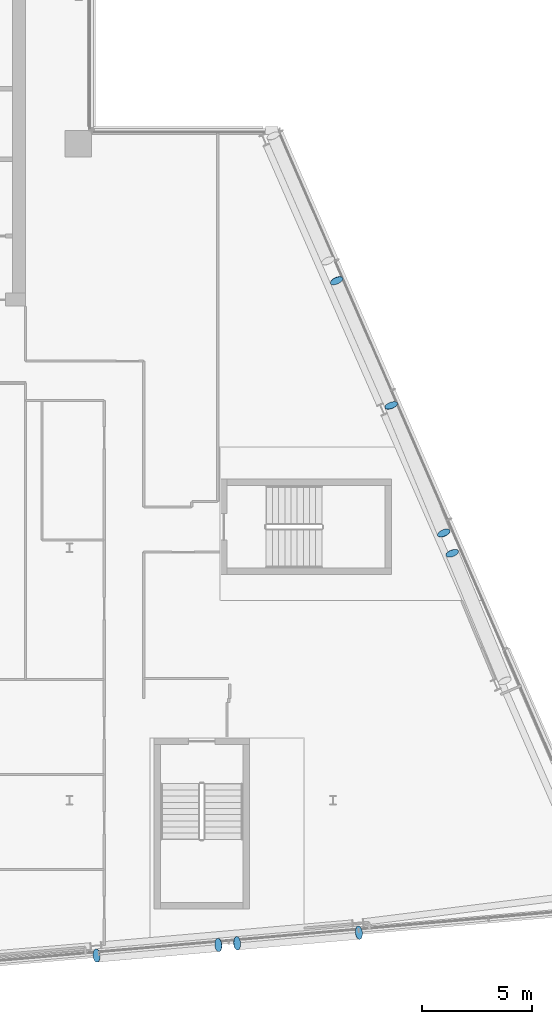
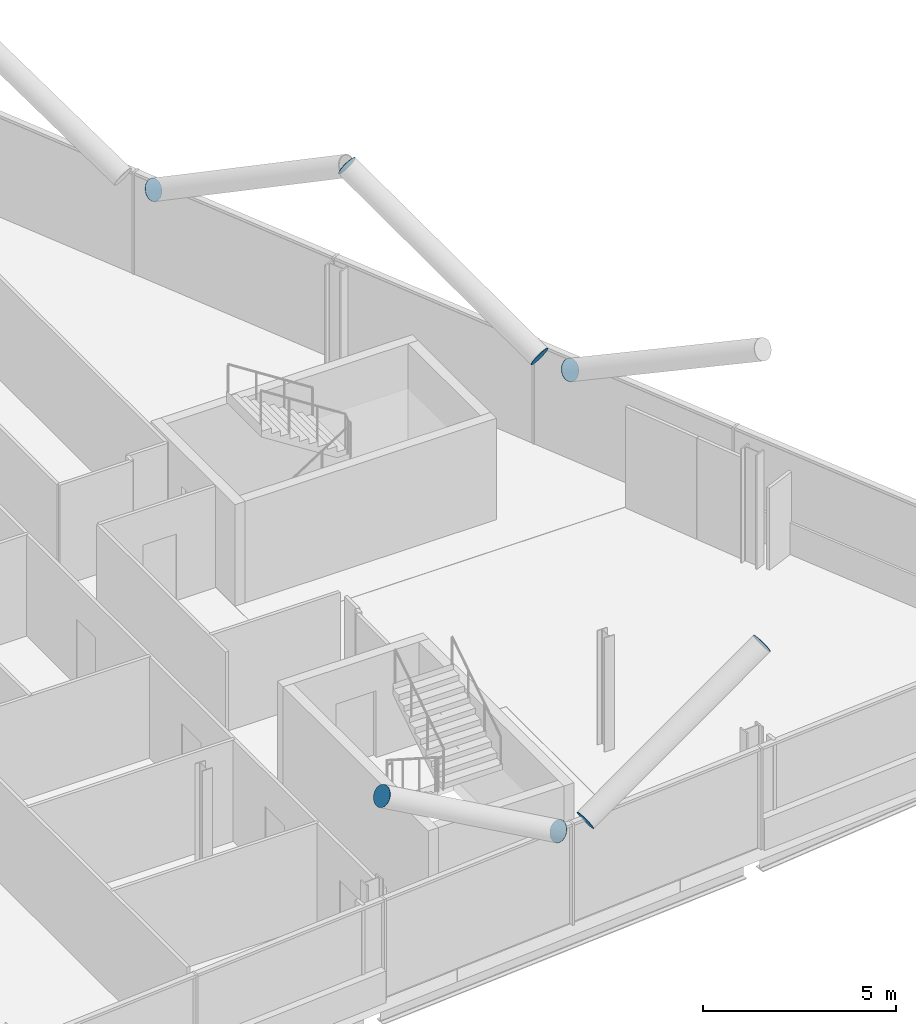
# One storey, part 22 of 27: 8 discrete accessories.
"""IFC4 building model written with IfcOpenShell, lengths in metres."""

from ifc_helpers import new_model, si_unit, direction, frame, origin, origin_2d, place, context, subcontext, project, spatial, circle, extrude, material, material_profile, profile_set, type_object, element, save


model = new_model("IFC4")

# Units and contexts
model_context = context("Model", 3, precision=1e-05, world=origin(), true_north=direction((0.0, 1.0)))
body_context = subcontext(model_context, "Body", "Model", "MODEL_VIEW")
ifc_project = project(units=[si_unit("LENGTHUNIT", "METRE"), si_unit("AREAUNIT", "SQUARE_METRE"), si_unit("VOLUMEUNIT", "CUBIC_METRE"), si_unit("PLANEANGLEUNIT", "RADIAN"), si_unit("MASSUNIT", "GRAM", prefix="KILO")], contexts=[model_context])

# Site, building, storey
site_placement = place(None, origin())
site = spatial("IfcSite", under=ifc_project, at=site_placement, CompositionType="ELEMENT")
building_placement = place(site_placement, origin())
building = spatial("IfcBuilding", under=site, at=building_placement, Name="Wharfspan Tower", CompositionType="ELEMENT")
storey_placement = place(building_placement, frame((0.0, 0.0, 221.5)))
storey = spatial("IfcBuildingStorey", under=building, at=storey_placement, Name="L55", CompositionType="ELEMENT", Elevation=221.5)

# Discrete accessories
ifc_material = material(Name="Steel S460NH", Category="steel")
ifc_material_profile = material_profile(ifc_material, circle(Radius=0.304932, at=origin_2d()))
ifc_profile_set = profile_set([ifc_material_profile], Name="Steel S460NH")
discrete_accessory_type = type_object("IfcDiscreteAccessoryType", Name="End plate CHS 610x25", PredefinedType="BRACKET", material=ifc_profile_set)
for number, where, z_axis, x_axis, name in (
    (1, (67.629883, 4.984863, 3.154297), (0.855186, 0.073302, 0.513112), (-0.085402, 0.996345, 1e-06), "End plate CHS 610x25"),
    (2, (73.175049, 5.469971, 6.5), (0.853405, 0.097532, 0.512043), (-0.113547, 0.993531, 1e-06), "End plate CHS 610x25"),
    (3, (66.787109, 4.911133, 3.154297), (-0.855186, -0.073302, 0.513112), (0.085402, -0.996345, 1e-06), "End plate CHS 610x25"),
    (4, (61.241943, 4.426025, 6.5), (-0.855186, -0.073302, 0.513112), (0.085402, -0.996345, 1e-06), "End plate CHS 610x25"),
    (5, (77.051025, 23.666992, 3.162598), (-0.341058, 0.803922, 0.487226), (-0.920584, -0.390551, 0.0), "End plate CHS 610x25"),
    (6, (74.652588, 29.476318, 6.5), (-0.316603, 0.828038, 0.462727), (-0.934054, -0.357138, -1e-06), "End plate CHS 610x25"),
):
    element("IfcDiscreteAccessory", number, at=place(storey_placement, frame(where, z_axis=z_axis, x_axis=x_axis)), inside=storey, type_object=discrete_accessory_type, Name=name, PredefinedType="BRACKET", context=body_context, shape_type="SweptSolid", body=[
        extrude(circle(Radius=0.304932, at=origin_2d()), origin(), (0.0, 0.0, 1.0), 0.01001),
    ])
discrete_accessory_1_placement = place(storey_placement, frame((77.428711, 22.752441, 3.162598), z_axis=(0.313003, -0.818624, 0.481543), x_axis=(0.934053, 0.357137, -1e-06)))
element("IfcDiscreteAccessory", 7, at=discrete_accessory_1_placement, inside=storey, type_object=discrete_accessory_type, Name="End plate CHS 610x25", PredefinedType="BRACKET", context=body_context, shape_type="SweptSolid", body=[
    extrude(circle(Radius=0.304932, at=origin_2d()), origin(), (0.0, 0.0, 1.0), 0.010254),
])
discrete_accessory_2_placement = place(storey_placement, frame((72.163818, 35.168213, 3.161865), z_axis=(0.362315, -0.797092, 0.483086), x_axis=(0.910369, 0.413804, -1e-06)))
element("IfcDiscreteAccessory", 8, at=discrete_accessory_2_placement, inside=storey, type_object=discrete_accessory_type, Name="End plate CHS 610x25", PredefinedType="BRACKET", context=body_context, shape_type="SweptSolid", body=[
    extrude(circle(Radius=0.304932, at=origin_2d()), origin(), (0.0, 0.0, 1.0), 0.01001),
])

save(model, "model.ifc")
